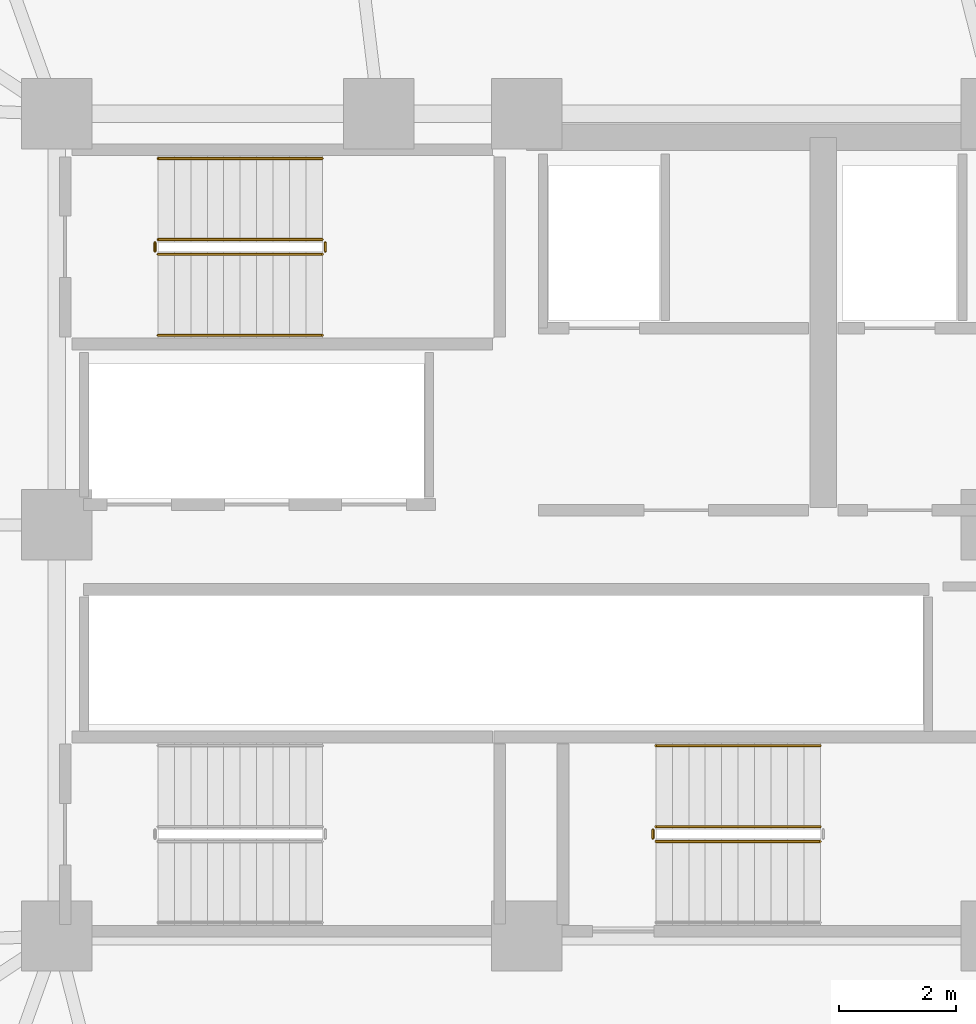
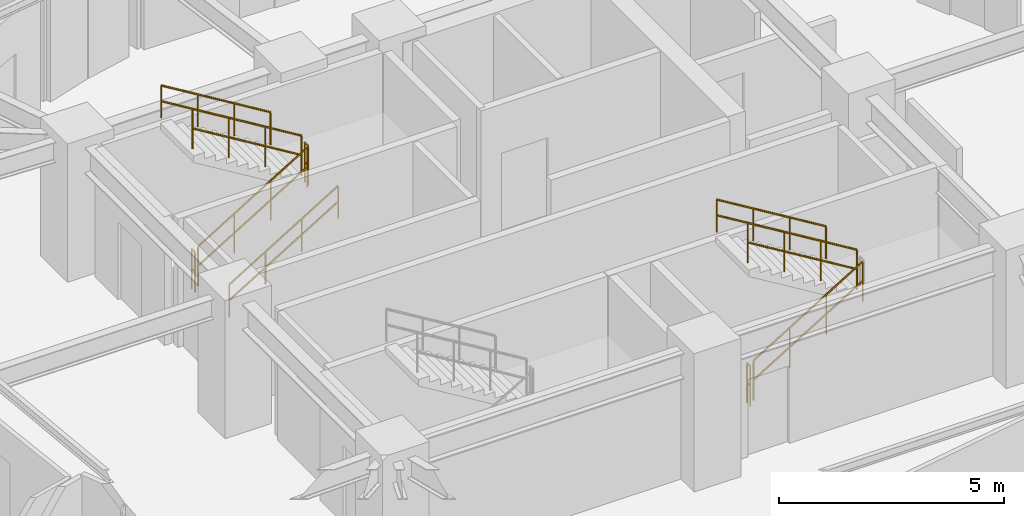
# One storey, part 36 of 38: 10 railings.
"""IFC4 building model written with IfcOpenShell, lengths in metres."""

from ifc_helpers import new_model, si_unit, direction, frame, origin, place, context, subcontext, project, spatial, polyline, outline, extrude, material, type_object, element, save


model = new_model("IFC4")

# Units and contexts
model_context = context("Model", 3, precision=1e-05, world=origin(), true_north=direction((0.0, 1.0)))
body_context = subcontext(model_context, "Body", "Model", "MODEL_VIEW")
ifc_project = project(units=[si_unit("LENGTHUNIT", "METRE"), si_unit("AREAUNIT", "SQUARE_METRE"), si_unit("VOLUMEUNIT", "CUBIC_METRE"), si_unit("PLANEANGLEUNIT", "RADIAN"), si_unit("MASSUNIT", "GRAM", prefix="KILO")], contexts=[model_context])

# Site, building, storey
site_placement = place(None, origin())
site = spatial("IfcSite", under=ifc_project, at=site_placement, CompositionType="ELEMENT")
building_placement = place(site_placement, origin())
building = spatial("IfcBuilding", under=site, at=building_placement, Name="Kelanora Arch Commons", CompositionType="ELEMENT")
storey_placement = place(building_placement, frame((0.0, 0.0, 106.35009765625)))
storey = spatial("IfcBuildingStorey", under=building, at=storey_placement, Name="L27", CompositionType="ELEMENT", Elevation=106.35009765625)

# Railings
ifc_material_1 = material(Name="Painted steel stair well guard", Category="steel")
railing_type_1 = type_object("IfcRailingType", Name="RAIL-STAIR-GRD", PredefinedType="GUARDRAIL", material=ifc_material_1)
railing_1_placement = place(storey_placement, frame((67.719970703125, 62.610107421875, 0.17041015625)))
element("IfcRailing", 1, at=railing_1_placement, inside=storey, type_object=railing_type_1, Name="L27 ST-T1 stair guard 1", PredefinedType="GUARDRAIL", context=body_context, shape_type="SweptSolid", body=[
    extrude(outline(polyline([(0.02392578125, 0.0), (0.011962890625, 0.020751953125), (-0.011962890625, 0.020751953125), (-0.02392578125, 0.0), (-0.011962890625, -0.020751953125), (0.011962890625, -0.020751953125), (0.02392578125, 0.0)])), frame((0.0, 0.0, 1.076171875), z_axis=(0.854169791009, 0.0, 0.51999420009), x_axis=(0.0, 1.0, 0.0)), (0.0, 0.0, 1.0), 3.278076171875),
    extrude(outline(polyline([(0.02392578125, 0.0), (0.011962890625, 0.020751953125), (-0.011962890625, 0.020751953125), (-0.02392578125, 0.0), (-0.011962890625, -0.020751953125), (0.011962890625, -0.020751953125), (0.02392578125, 0.0)])), frame((0.0, 0.0, 0.550048828125), z_axis=(0.854169791009, 0.0, 0.51999420009), x_axis=(0.0, 1.0, 0.0)), (0.0, 0.0, 1.0), 3.278076171875),
    extrude(outline(polyline([(0.02099609375, 0.0), (0.010498046875, 0.01806640625), (-0.010498046875, 0.01806640625), (-0.02099609375, 0.0), (-0.010498046875, -0.01806640625), (0.010498046875, -0.01806640625), (0.02099609375, 0.0)])), origin(), (0.0, 0.0, 1.0), 1.052001953125),
    extrude(outline(polyline([(0.02099609375, 0.0), (0.010498046875, 0.01806640625), (-0.010498046875, 0.01806640625), (-0.02099609375, 0.0), (-0.010498046875, -0.01806640625), (0.010498046875, -0.01806640625), (0.02099609375, 0.0)])), frame((0.933349609375, 0.0, 0.568115234375)), (0.0, 0.0, 1.0), 1.052001953125),
    extrude(outline(polyline([(0.02099609375, 0.0), (0.010498046875, 0.01806640625), (-0.010498046875, 0.01806640625), (-0.02099609375, 0.0), (-0.010498046875, -0.01806640625), (0.010498046875, -0.01806640625), (0.02099609375, 0.0)])), frame((1.86669921875, 0.0, 1.136474609375)), (0.0, 0.0, 1.0), 1.052001953125),
    extrude(outline(polyline([(0.02099609375, 0.0), (0.010498046875, 0.01806640625), (-0.010498046875, 0.01806640625), (-0.02099609375, 0.0), (-0.010498046875, -0.01806640625), (0.010498046875, -0.01806640625), (0.02099609375, 0.0)])), frame((2.800048828125, 0.0, 1.70458984375)), (0.0, 0.0, 1.0), 1.052001953125),
])
railing_2_placement = place(storey_placement, frame((70.570068359375, 62.659912109375, 1.875)))
element("IfcRailing", 2, at=railing_2_placement, inside=storey, type_object=railing_type_1, Name="L27 ST-T1 stair guard 2", PredefinedType="GUARDRAIL", context=body_context, shape_type="SweptSolid", body=[
    extrude(outline(polyline([(0.02392578125, 0.0), (0.011962890625, 0.020751953125), (-0.011962890625, 0.020751953125), (-0.02392578125, 0.0), (-0.011962890625, -0.020751953125), (0.011962890625, -0.020751953125), (0.02392578125, 0.0)])), frame((0.0, 0.0, 1.076171875), z_axis=(0.0, 1.0, 0.0), x_axis=(-1.0, 0.0, 0.0)), (0.0, 0.0, 1.0), 0.150146484375),
    extrude(outline(polyline([(0.02392578125, 0.0), (0.011962890625, 0.020751953125), (-0.011962890625, 0.020751953125), (-0.02392578125, 0.0), (-0.011962890625, -0.020751953125), (0.011962890625, -0.020751953125), (0.02392578125, 0.0)])), frame((0.0, 0.0, 0.550048828125), z_axis=(0.0, 1.0, 0.0), x_axis=(-1.0, 0.0, 0.0)), (0.0, 0.0, 1.0), 0.150146484375),
    extrude(outline(polyline([(0.02099609375, 0.0), (0.010498046875, 0.01806640625), (-0.010498046875, 0.01806640625), (-0.02099609375, 0.0), (-0.010498046875, -0.01806640625), (0.010498046875, -0.01806640625), (0.02099609375, 0.0)])), origin(), (0.0, 0.0, 1.0), 1.052001953125),
    extrude(outline(polyline([(0.02099609375, 0.0), (0.010498046875, 0.01806640625), (-0.010498046875, 0.01806640625), (-0.02099609375, 0.0), (-0.010498046875, -0.01806640625), (0.010498046875, -0.01806640625), (0.02099609375, 0.0)])), frame((0.0, 0.150146484375, 0.0)), (0.0, 0.0, 1.0), 1.052001953125),
])
railing_3_placement = place(storey_placement, frame((70.52001953125, 62.860107421875, 2.04541015625)))
element("IfcRailing", 3, at=railing_3_placement, inside=storey, type_object=railing_type_1, Name="L27 ST-T1 stair guard 3", PredefinedType="GUARDRAIL", context=body_context, shape_type="SweptSolid", body=[
    extrude(outline(polyline([(0.02392578125, 0.0), (0.011962890625, 0.020751953125), (-0.011962890625, 0.020751953125), (-0.02392578125, 0.0), (-0.011962890625, -0.020751953125), (0.011962890625, -0.020751953125), (0.02392578125, 0.0)])), frame((0.0, 0.0, 1.076171875), z_axis=(-0.854169791009, 0.0, 0.51999420009), x_axis=(0.0, -1.0, 0.0)), (0.0, 0.0, 1.0), 3.278076171875),
    extrude(outline(polyline([(0.02392578125, 0.0), (0.011962890625, 0.020751953125), (-0.011962890625, 0.020751953125), (-0.02392578125, 0.0), (-0.011962890625, -0.020751953125), (0.011962890625, -0.020751953125), (0.02392578125, 0.0)])), frame((0.0, 0.0, 0.550048828125), z_axis=(-0.854169791009, 0.0, 0.51999420009), x_axis=(0.0, -1.0, 0.0)), (0.0, 0.0, 1.0), 3.278076171875),
    extrude(outline(polyline([(0.02099609375, 0.0), (0.010498046875, 0.01806640625), (-0.010498046875, 0.01806640625), (-0.02099609375, 0.0), (-0.010498046875, -0.01806640625), (0.010498046875, -0.01806640625), (0.02099609375, 0.0)])), origin(), (0.0, 0.0, 1.0), 1.052001953125),
    extrude(outline(polyline([(0.02099609375, 0.0), (0.010498046875, 0.01806640625), (-0.010498046875, 0.01806640625), (-0.02099609375, 0.0), (-0.010498046875, -0.01806640625), (0.010498046875, -0.01806640625), (0.02099609375, 0.0)])), frame((-0.933349609375, 0.0, 0.568115234375)), (0.0, 0.0, 1.0), 1.052001953125),
    extrude(outline(polyline([(0.02099609375, 0.0), (0.010498046875, 0.01806640625), (-0.010498046875, 0.01806640625), (-0.02099609375, 0.0), (-0.010498046875, -0.01806640625), (0.010498046875, -0.01806640625), (0.02099609375, 0.0)])), frame((-1.86669921875, 0.0, 1.136474609375)), (0.0, 0.0, 1.0), 1.052001953125),
    extrude(outline(polyline([(0.02099609375, 0.0), (0.010498046875, 0.01806640625), (-0.010498046875, 0.01806640625), (-0.02099609375, 0.0), (-0.010498046875, -0.01806640625), (0.010498046875, -0.01806640625), (0.02099609375, 0.0)])), frame((-2.800048828125, 0.0, 1.70458984375)), (0.0, 0.0, 1.0), 1.052001953125),
])
railing_4_placement = place(storey_placement, frame((67.669921875, 62.659912109375, 0.0)))
element("IfcRailing", 4, at=railing_4_placement, inside=storey, type_object=railing_type_1, Name="L27 ST-T1 stair guard 4", PredefinedType="GUARDRAIL", context=body_context, shape_type="SweptSolid", body=[
    extrude(outline(polyline([(0.02392578125, 0.0), (0.011962890625, 0.020751953125), (-0.011962890625, 0.020751953125), (-0.02392578125, 0.0), (-0.011962890625, -0.020751953125), (0.011962890625, -0.020751953125), (0.02392578125, 0.0)])), frame((0.0, 0.0, 1.076171875), z_axis=(0.0, 1.0, 0.0), x_axis=(-1.0, 0.0, 0.0)), (0.0, 0.0, 1.0), 0.150146484375),
    extrude(outline(polyline([(0.02392578125, 0.0), (0.011962890625, 0.020751953125), (-0.011962890625, 0.020751953125), (-0.02392578125, 0.0), (-0.011962890625, -0.020751953125), (0.011962890625, -0.020751953125), (0.02392578125, 0.0)])), frame((0.0, 0.0, 0.550048828125), z_axis=(0.0, 1.0, 0.0), x_axis=(-1.0, 0.0, 0.0)), (0.0, 0.0, 1.0), 0.150146484375),
    extrude(outline(polyline([(0.02099609375, 0.0), (0.010498046875, 0.01806640625), (-0.010498046875, 0.01806640625), (-0.02099609375, 0.0), (-0.010498046875, -0.01806640625), (0.010498046875, -0.01806640625), (0.02099609375, 0.0)])), origin(), (0.0, 0.0, 1.0), 1.052001953125),
    extrude(outline(polyline([(0.02099609375, 0.0), (0.010498046875, 0.01806640625), (-0.010498046875, 0.01806640625), (-0.02099609375, 0.0), (-0.010498046875, -0.01806640625), (0.010498046875, -0.01806640625), (0.02099609375, 0.0)])), frame((0.0, 0.150146484375, 0.0)), (0.0, 0.0, 1.0), 1.052001953125),
])
railing_5_placement = place(storey_placement, frame((76.199951171875, 52.610107421875, 0.17041015625)))
element("IfcRailing", 5, at=railing_5_placement, inside=storey, type_object=railing_type_1, Name="L27 ST-T2 stair guard 1", PredefinedType="GUARDRAIL", context=body_context, shape_type="SweptSolid", body=[
    extrude(outline(polyline([(0.02392578125, 0.0), (0.011962890625, 0.020751953125), (-0.011962890625, 0.020751953125), (-0.02392578125, 0.0), (-0.011962890625, -0.020751953125), (0.011962890625, -0.020751953125), (0.02392578125, 0.0)])), frame((0.0, 0.0, 1.076171875), z_axis=(0.854169791009, 0.0, 0.51999420009), x_axis=(0.0, 1.0, 0.0)), (0.0, 0.0, 1.0), 3.278076171875),
    extrude(outline(polyline([(0.02392578125, 0.0), (0.011962890625, 0.020751953125), (-0.011962890625, 0.020751953125), (-0.02392578125, 0.0), (-0.011962890625, -0.020751953125), (0.011962890625, -0.020751953125), (0.02392578125, 0.0)])), frame((0.0, 0.0, 0.550048828125), z_axis=(0.854169791009, 0.0, 0.51999420009), x_axis=(0.0, 1.0, 0.0)), (0.0, 0.0, 1.0), 3.278076171875),
    extrude(outline(polyline([(0.02099609375, 0.0), (0.010498046875, 0.01806640625), (-0.010498046875, 0.01806640625), (-0.02099609375, 0.0), (-0.010498046875, -0.01806640625), (0.010498046875, -0.01806640625), (0.02099609375, 0.0)])), origin(), (0.0, 0.0, 1.0), 1.052001953125),
    extrude(outline(polyline([(0.02099609375, 0.0), (0.010498046875, 0.01806640625), (-0.010498046875, 0.01806640625), (-0.02099609375, 0.0), (-0.010498046875, -0.01806640625), (0.010498046875, -0.01806640625), (0.02099609375, 0.0)])), frame((0.933349609375, 0.0, 0.568115234375)), (0.0, 0.0, 1.0), 1.052001953125),
    extrude(outline(polyline([(0.02099609375, 0.0), (0.010498046875, 0.01806640625), (-0.010498046875, 0.01806640625), (-0.02099609375, 0.0), (-0.010498046875, -0.01806640625), (0.010498046875, -0.01806640625), (0.02099609375, 0.0)])), frame((1.86669921875, 0.0, 1.136474609375)), (0.0, 0.0, 1.0), 1.052001953125),
    extrude(outline(polyline([(0.02099609375, 0.0), (0.010498046875, 0.01806640625), (-0.010498046875, 0.01806640625), (-0.02099609375, 0.0), (-0.010498046875, -0.01806640625), (0.010498046875, -0.01806640625), (0.02099609375, 0.0)])), frame((2.800048828125, 0.0, 1.70458984375)), (0.0, 0.0, 1.0), 1.052001953125),
])
railing_6_placement = place(storey_placement, frame((79.0, 52.860107421875, 2.04541015625)))
element("IfcRailing", 6, at=railing_6_placement, inside=storey, type_object=railing_type_1, Name="L27 ST-T2 stair guard 3", PredefinedType="GUARDRAIL", context=body_context, shape_type="SweptSolid", body=[
    extrude(outline(polyline([(0.02392578125, 0.0), (0.011962890625, 0.020751953125), (-0.011962890625, 0.020751953125), (-0.02392578125, 0.0), (-0.011962890625, -0.020751953125), (0.011962890625, -0.020751953125), (0.02392578125, 0.0)])), frame((0.0, 0.0, 1.076171875), z_axis=(-0.854169791009, 0.0, 0.51999420009), x_axis=(0.0, -1.0, 0.0)), (0.0, 0.0, 1.0), 3.278076171875),
    extrude(outline(polyline([(0.02392578125, 0.0), (0.011962890625, 0.020751953125), (-0.011962890625, 0.020751953125), (-0.02392578125, 0.0), (-0.011962890625, -0.020751953125), (0.011962890625, -0.020751953125), (0.02392578125, 0.0)])), frame((0.0, 0.0, 0.550048828125), z_axis=(-0.854169791009, 0.0, 0.51999420009), x_axis=(0.0, -1.0, 0.0)), (0.0, 0.0, 1.0), 3.278076171875),
    extrude(outline(polyline([(0.02099609375, 0.0), (0.010498046875, 0.01806640625), (-0.010498046875, 0.01806640625), (-0.02099609375, 0.0), (-0.010498046875, -0.01806640625), (0.010498046875, -0.01806640625), (0.02099609375, 0.0)])), origin(), (0.0, 0.0, 1.0), 1.052001953125),
    extrude(outline(polyline([(0.02099609375, 0.0), (0.010498046875, 0.01806640625), (-0.010498046875, 0.01806640625), (-0.02099609375, 0.0), (-0.010498046875, -0.01806640625), (0.010498046875, -0.01806640625), (0.02099609375, 0.0)])), frame((-0.933349609375, 0.0, 0.568115234375)), (0.0, 0.0, 1.0), 1.052001953125),
    extrude(outline(polyline([(0.02099609375, 0.0), (0.010498046875, 0.01806640625), (-0.010498046875, 0.01806640625), (-0.02099609375, 0.0), (-0.010498046875, -0.01806640625), (0.010498046875, -0.01806640625), (0.02099609375, 0.0)])), frame((-1.86669921875, 0.0, 1.136474609375)), (0.0, 0.0, 1.0), 1.052001953125),
    extrude(outline(polyline([(0.02099609375, 0.0), (0.010498046875, 0.01806640625), (-0.010498046875, 0.01806640625), (-0.02099609375, 0.0), (-0.010498046875, -0.01806640625), (0.010498046875, -0.01806640625), (0.02099609375, 0.0)])), frame((-2.800048828125, 0.0, 1.70458984375)), (0.0, 0.0, 1.0), 1.052001953125),
])
railing_7_placement = place(storey_placement, frame((76.14990234375, 52.659912109375, 0.0)))
element("IfcRailing", 7, at=railing_7_placement, inside=storey, type_object=railing_type_1, Name="L27 ST-T2 stair guard 4", PredefinedType="GUARDRAIL", context=body_context, shape_type="SweptSolid", body=[
    extrude(outline(polyline([(0.02392578125, 0.0), (0.011962890625, 0.020751953125), (-0.011962890625, 0.020751953125), (-0.02392578125, 0.0), (-0.011962890625, -0.020751953125), (0.011962890625, -0.020751953125), (0.02392578125, 0.0)])), frame((0.0, 0.0, 1.076171875), z_axis=(0.0, 1.0, 0.0), x_axis=(-1.0, 0.0, 0.0)), (0.0, 0.0, 1.0), 0.150146484375),
    extrude(outline(polyline([(0.02392578125, 0.0), (0.011962890625, 0.020751953125), (-0.011962890625, 0.020751953125), (-0.02392578125, 0.0), (-0.011962890625, -0.020751953125), (0.011962890625, -0.020751953125), (0.02392578125, 0.0)])), frame((0.0, 0.0, 0.550048828125), z_axis=(0.0, 1.0, 0.0), x_axis=(-1.0, 0.0, 0.0)), (0.0, 0.0, 1.0), 0.150146484375),
    extrude(outline(polyline([(0.02099609375, 0.0), (0.010498046875, 0.01806640625), (-0.010498046875, 0.01806640625), (-0.02099609375, 0.0), (-0.010498046875, -0.01806640625), (0.010498046875, -0.01806640625), (0.02099609375, 0.0)])), origin(), (0.0, 0.0, 1.0), 1.052001953125),
    extrude(outline(polyline([(0.02099609375, 0.0), (0.010498046875, 0.01806640625), (-0.010498046875, 0.01806640625), (-0.02099609375, 0.0), (-0.010498046875, -0.01806640625), (0.010498046875, -0.01806640625), (0.02099609375, 0.0)])), frame((0.0, 0.150146484375, 0.0)), (0.0, 0.0, 1.0), 1.052001953125),
])
ifc_material_2 = material(Name="Brushed stainless steel stair handrail", Category="steel")
railing_type_2 = type_object("IfcRailingType", Name="RAIL-STAIR-HND", PredefinedType="HANDRAIL", material=ifc_material_2)
railing_8_placement = place(storey_placement, frame((67.719970703125, 61.22998046875, 0.17041015625)))
element("IfcRailing", 8, at=railing_8_placement, inside=storey, type_object=railing_type_2, Name="L27 ST-T1 stair handrail 1", PredefinedType="HANDRAIL", context=body_context, shape_type="SweptSolid", body=[
    extrude(outline(polyline([(0.02392578125, 0.0), (0.011962890625, 0.020751953125), (-0.011962890625, 0.020751953125), (-0.02392578125, 0.0), (-0.011962890625, -0.020751953125), (0.011962890625, -0.020751953125), (0.02392578125, 0.0)])), frame((0.0, 0.0, 0.8759765625), z_axis=(0.854169791009, 0.0, 0.51999420009), x_axis=(0.0, 1.0, 0.0)), (0.0, 0.0, 1.0), 3.278076171875),
    extrude(outline(polyline([(0.02392578125, 0.0), (0.011962890625, 0.020751953125), (-0.011962890625, 0.020751953125), (-0.02392578125, 0.0), (-0.011962890625, -0.020751953125), (0.011962890625, -0.020751953125), (0.02392578125, 0.0)])), frame((0.0, 0.0, 0.449951171875), z_axis=(0.854169791009, 0.0, 0.51999420009), x_axis=(0.0, 1.0, 0.0)), (0.0, 0.0, 1.0), 3.278076171875),
    extrude(outline(polyline([(0.02099609375, 0.0), (0.010498046875, 0.01806640625), (-0.010498046875, 0.01806640625), (-0.02099609375, 0.0), (-0.010498046875, -0.01806640625), (0.010498046875, -0.01806640625), (0.02099609375, 0.0)])), origin(), (0.0, 0.0, 1.0), 0.851806640625),
    extrude(outline(polyline([(0.02099609375, 0.0), (0.010498046875, 0.01806640625), (-0.010498046875, 0.01806640625), (-0.02099609375, 0.0), (-0.010498046875, -0.01806640625), (0.010498046875, -0.01806640625), (0.02099609375, 0.0)])), frame((0.933349609375, 0.0, 0.568115234375)), (0.0, 0.0, 1.0), 0.851806640625),
    extrude(outline(polyline([(0.02099609375, 0.0), (0.010498046875, 0.01806640625), (-0.010498046875, 0.01806640625), (-0.02099609375, 0.0), (-0.010498046875, -0.01806640625), (0.010498046875, -0.01806640625), (0.02099609375, 0.0)])), frame((1.86669921875, 0.0, 1.136474609375)), (0.0, 0.0, 1.0), 0.851806640625),
    extrude(outline(polyline([(0.02099609375, 0.0), (0.010498046875, 0.01806640625), (-0.010498046875, 0.01806640625), (-0.02099609375, 0.0), (-0.010498046875, -0.01806640625), (0.010498046875, -0.01806640625), (0.02099609375, 0.0)])), frame((2.800048828125, 0.0, 1.70458984375)), (0.0, 0.0, 1.0), 0.851806640625),
])
railing_9_placement = place(storey_placement, frame((70.52001953125, 64.239990234375, 2.04541015625)))
element("IfcRailing", 9, at=railing_9_placement, inside=storey, type_object=railing_type_2, Name="L27 ST-T1 stair handrail 2", PredefinedType="HANDRAIL", context=body_context, shape_type="SweptSolid", body=[
    extrude(outline(polyline([(0.02392578125, 0.0), (0.011962890625, 0.020751953125), (-0.011962890625, 0.020751953125), (-0.02392578125, 0.0), (-0.011962890625, -0.020751953125), (0.011962890625, -0.020751953125), (0.02392578125, 0.0)])), frame((0.0, 0.0, 0.8759765625), z_axis=(-0.854169791009, 0.0, 0.51999420009), x_axis=(0.0, -1.0, 0.0)), (0.0, 0.0, 1.0), 3.278076171875),
    extrude(outline(polyline([(0.02392578125, 0.0), (0.011962890625, 0.020751953125), (-0.011962890625, 0.020751953125), (-0.02392578125, 0.0), (-0.011962890625, -0.020751953125), (0.011962890625, -0.020751953125), (0.02392578125, 0.0)])), frame((0.0, 0.0, 0.449951171875), z_axis=(-0.854169791009, 0.0, 0.51999420009), x_axis=(0.0, -1.0, 0.0)), (0.0, 0.0, 1.0), 3.278076171875),
    extrude(outline(polyline([(0.02099609375, 0.0), (0.010498046875, 0.01806640625), (-0.010498046875, 0.01806640625), (-0.02099609375, 0.0), (-0.010498046875, -0.01806640625), (0.010498046875, -0.01806640625), (0.02099609375, 0.0)])), origin(), (0.0, 0.0, 1.0), 0.851806640625),
    extrude(outline(polyline([(0.02099609375, 0.0), (0.010498046875, 0.01806640625), (-0.010498046875, 0.01806640625), (-0.02099609375, 0.0), (-0.010498046875, -0.01806640625), (0.010498046875, -0.01806640625), (0.02099609375, 0.0)])), frame((-0.933349609375, 0.0, 0.568115234375)), (0.0, 0.0, 1.0), 0.851806640625),
    extrude(outline(polyline([(0.02099609375, 0.0), (0.010498046875, 0.01806640625), (-0.010498046875, 0.01806640625), (-0.02099609375, 0.0), (-0.010498046875, -0.01806640625), (0.010498046875, -0.01806640625), (0.02099609375, 0.0)])), frame((-1.86669921875, 0.0, 1.136474609375)), (0.0, 0.0, 1.0), 0.851806640625),
    extrude(outline(polyline([(0.02099609375, 0.0), (0.010498046875, 0.01806640625), (-0.010498046875, 0.01806640625), (-0.02099609375, 0.0), (-0.010498046875, -0.01806640625), (0.010498046875, -0.01806640625), (0.02099609375, 0.0)])), frame((-2.800048828125, 0.0, 1.70458984375)), (0.0, 0.0, 1.0), 0.851806640625),
])
railing_10_placement = place(storey_placement, frame((79.0, 54.239990234375, 2.04541015625)))
element("IfcRailing", 10, at=railing_10_placement, inside=storey, type_object=railing_type_2, Name="L27 ST-T2 stair handrail 2", PredefinedType="HANDRAIL", context=body_context, shape_type="SweptSolid", body=[
    extrude(outline(polyline([(0.02392578125, 0.0), (0.011962890625, 0.020751953125), (-0.011962890625, 0.020751953125), (-0.02392578125, 0.0), (-0.011962890625, -0.020751953125), (0.011962890625, -0.020751953125), (0.02392578125, 0.0)])), frame((0.0, 0.0, 0.8759765625), z_axis=(-0.854169791009, 0.0, 0.51999420009), x_axis=(0.0, -1.0, 0.0)), (0.0, 0.0, 1.0), 3.278076171875),
    extrude(outline(polyline([(0.02392578125, 0.0), (0.011962890625, 0.020751953125), (-0.011962890625, 0.020751953125), (-0.02392578125, 0.0), (-0.011962890625, -0.020751953125), (0.011962890625, -0.020751953125), (0.02392578125, 0.0)])), frame((0.0, 0.0, 0.449951171875), z_axis=(-0.854169791009, 0.0, 0.51999420009), x_axis=(0.0, -1.0, 0.0)), (0.0, 0.0, 1.0), 3.278076171875),
    extrude(outline(polyline([(0.02099609375, 0.0), (0.010498046875, 0.01806640625), (-0.010498046875, 0.01806640625), (-0.02099609375, 0.0), (-0.010498046875, -0.01806640625), (0.010498046875, -0.01806640625), (0.02099609375, 0.0)])), origin(), (0.0, 0.0, 1.0), 0.851806640625),
    extrude(outline(polyline([(0.02099609375, 0.0), (0.010498046875, 0.01806640625), (-0.010498046875, 0.01806640625), (-0.02099609375, 0.0), (-0.010498046875, -0.01806640625), (0.010498046875, -0.01806640625), (0.02099609375, 0.0)])), frame((-0.933349609375, 0.0, 0.568115234375)), (0.0, 0.0, 1.0), 0.851806640625),
    extrude(outline(polyline([(0.02099609375, 0.0), (0.010498046875, 0.01806640625), (-0.010498046875, 0.01806640625), (-0.02099609375, 0.0), (-0.010498046875, -0.01806640625), (0.010498046875, -0.01806640625), (0.02099609375, 0.0)])), frame((-1.86669921875, 0.0, 1.136474609375)), (0.0, 0.0, 1.0), 0.851806640625),
    extrude(outline(polyline([(0.02099609375, 0.0), (0.010498046875, 0.01806640625), (-0.010498046875, 0.01806640625), (-0.02099609375, 0.0), (-0.010498046875, -0.01806640625), (0.010498046875, -0.01806640625), (0.02099609375, 0.0)])), frame((-2.800048828125, 0.0, 1.70458984375)), (0.0, 0.0, 1.0), 0.851806640625),
])

save(model, "model.ifc")
